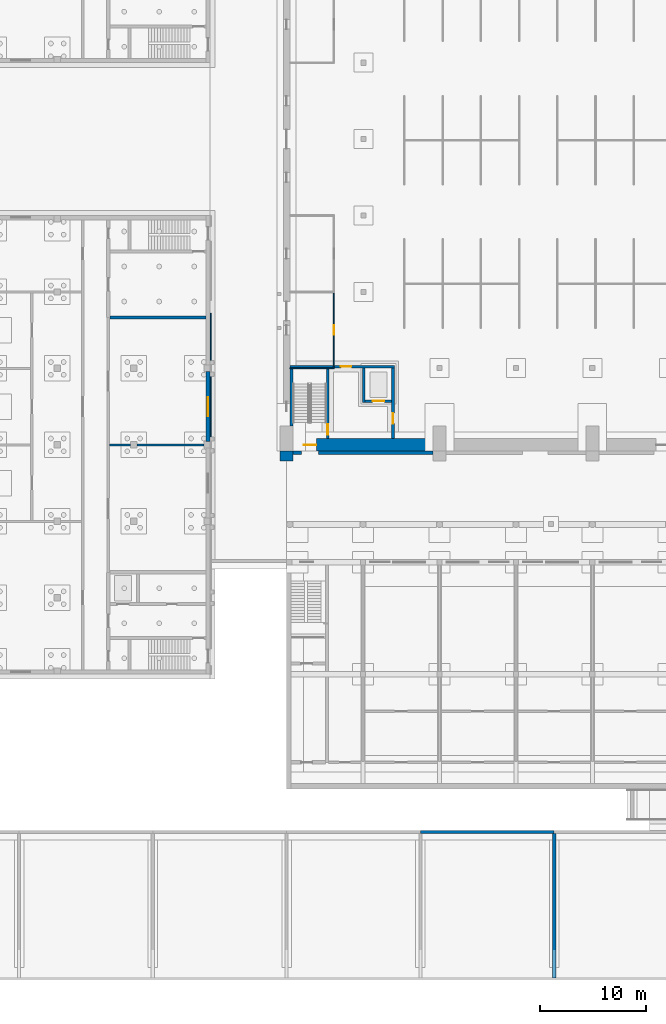
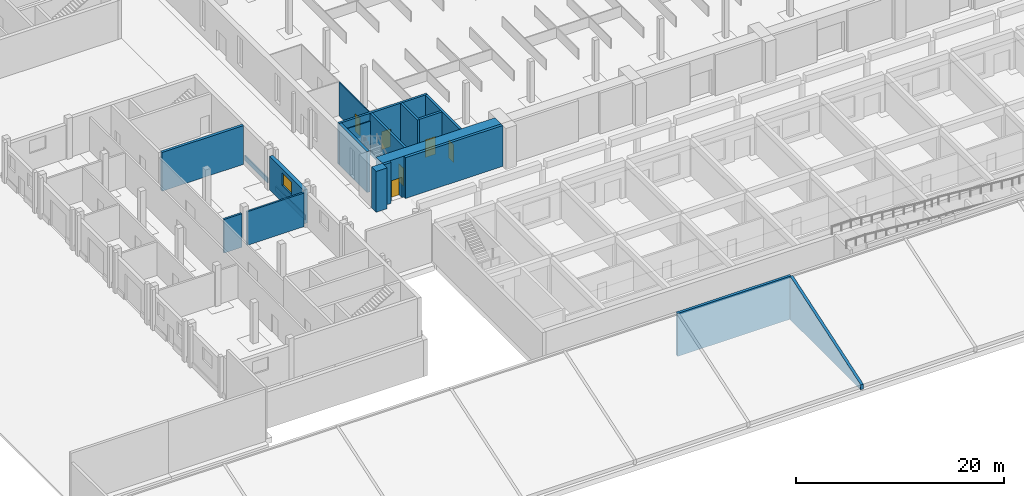
# One storey, part 30 of 73: 20 walls, 6 doors, 1 window, 7 openings.
"""IFC4 building model written with IfcOpenShell, lengths in metres."""

from ifc_helpers import new_model, si_unit, direction, frame, frame_2d, origin, place, context, subcontext, project, spatial, polyline, rectangle, outline, extrude, material, layer, layer_set, type_object, element, fill, save


model = new_model("IFC4")

# Units and contexts
model_context = context("Model", 3, precision=1e-05, world=origin(), true_north=direction((0.0, 1.0)))
body_context = subcontext(model_context, "Body", "Model", "MODEL_VIEW")
ifc_project = project(units=[si_unit("LENGTHUNIT", "METRE"), si_unit("AREAUNIT", "SQUARE_METRE"), si_unit("VOLUMEUNIT", "CUBIC_METRE"), si_unit("PLANEANGLEUNIT", "RADIAN"), si_unit("MASSUNIT", "GRAM", prefix="KILO")], contexts=[model_context])

# Site, building, storey
site_placement = place(None, origin())
site = spatial("IfcSite", under=ifc_project, at=site_placement, CompositionType="ELEMENT")
building_placement = place(site_placement, origin())
building = spatial("IfcBuilding", under=site, at=building_placement, Name="Alderwick Market Hall", CompositionType="ELEMENT")
storey_placement = place(building_placement, origin())
storey = spatial("IfcBuildingStorey", under=building, at=storey_placement, Name="LG", CompositionType="ELEMENT", Elevation=0.0)

# Walls
ifc_material_1 = material(Name="Cast stone 5000 psi", Category="masonry")
ifc_layer_1 = layer(ifc_material_1, 0.1201171875)
ifc_layer_set_1 = layer_set([ifc_layer_1], Name="Cast stone 5000 psi")
wall_type_1 = type_object("IfcWallType", Name="B Cast Stone Base Course 120", PredefinedType="SOLIDWALL", material=ifc_layer_set_1)
wall_1_placement = place(storey_placement, frame((43.260009765625, 51.14990234375, 0.0), z_axis=(0.0, 0.0, 1.0), x_axis=(0.0, 1.0, 0.0)))
element("IfcWall", 1, at=wall_1_placement, inside=storey, type_object=wall_type_1, Name="B.S.base.E.07", PredefinedType="SOLIDWALL", context=body_context, shape_type="SweptSolid", body=[
    extrude(rectangle(XDim=5.7001953125, YDim=0.1201171875, at=frame_2d((2.85009765625, 0.0))), origin(), (0.0, 0.0, 1.0), 0.60009765625),
])
wall_2_placement = place(storey_placement, frame((43.260009765625, 58.35009765625, 0.0), z_axis=(0.0, 0.0, 1.0), x_axis=(0.0, 1.0, 0.0)))
element("IfcWall", 2, at=wall_2_placement, inside=storey, type_object=wall_type_1, Name="B.S.base.E.09", PredefinedType="SOLIDWALL", context=body_context, shape_type="SweptSolid", body=[
    extrude(rectangle(XDim=4.449951171875, YDim=0.1201171875, at=frame_2d((2.22509765625, 0.0))), origin(), (0.0, 0.0, 1.0), 0.60009765625),
])

# Wall, opening, window
ifc_layer_2 = layer(ifc_material_1, 0.39990234375)
ifc_layer_set_2 = layer_set([ifc_layer_2], Name="Cast stone 5000 psi")
wall_type_2 = type_object("IfcWallType", Name="B Cast Stone Base Wall 400", PredefinedType="SOLIDWALL", material=ifc_layer_set_2)
wall_3_placement = place(storey_placement, frame((43.0, 50.699951171875, 0.0), z_axis=(0.0, 0.0, 1.0), x_axis=(0.0, 1.0, 0.0)))
wall_3 = element("IfcWall", 3, at=wall_3_placement, inside=storey, type_object=wall_type_2, Name="B.S.wall.LG.033", PredefinedType="SOLIDWALL", context=body_context, shape_type="SweptSolid", body=[
    extrude(rectangle(XDim=6.60009765625, YDim=0.39990234375, at=frame_2d((3.300048828125, 0.0))), origin(), (0.0, 0.0, 1.0), 3.949951171875),
])
opening_1_placement = place(wall_3_placement, frame((2.39990234375, 0.0, 2.0)))
opening_1 = element("IfcOpeningElement", 4, at=opening_1_placement, cuts=wall_3, Name="Opening B-W073", PredefinedType="OPENING", context=body_context, shape_type="SweptSolid", body=[
    extrude(rectangle(XDim=1.800048828125, YDim=1.5, at=frame_2d((0.89990234375, 0.75))), frame((0.0, 0.2099609375, 0.0), z_axis=(0.0, -1.0, 0.0), x_axis=(1.0, 0.0, 0.0)), (0.0, 0.0, 1.0), 0.419921875),
])
ifc_material_2 = material(Name="Aluminium frame", Category="aluminium")
window_type = type_object("IfcWindowType", Name="B Window 1800x1500", PartitioningType="SINGLE_PANEL", PredefinedType="WINDOW", material=ifc_material_2)
window_placement = place(opening_1_placement, origin())
window = element("IfcWindow", 5, at=window_placement, inside=storey, type_object=window_type, Name="Window B-W073", OverallHeight=1.5, OverallWidth=1.800048828125, PartitioningType="SINGLE_PANEL", PredefinedType="WINDOW", context=body_context, shape_type="SweptSolid", body=[
    extrude(rectangle(XDim=1.800048828125, YDim=1.5, at=frame_2d((0.89990234375, 0.75))), frame((0.0, 0.030029296875, 0.0), z_axis=(0.0, -1.0, 0.0), x_axis=(1.0, 0.0, 0.0)), (0.0, 0.0, 1.0), 0.06005859375),
])
fill(opening_1, window)

# Walls
ifc_material_3 = material(Name="Insulated metal panel, ASTM A653 Grade 50 steel faced", Category="steel")
ifc_layer_3 = layer(ifc_material_3, 0.199951171875)
ifc_layer_set_3 = layer_set([ifc_layer_3], Name="Insulated metal panel, ASTM A653 Grade 50 steel faced")
wall_type_3 = type_object("IfcWallType", Name="B Insulated Cold Store Wall 200", PredefinedType="PARTITIONING", material=ifc_layer_set_3)
wall_4_placement = place(storey_placement, frame((33.699951171875, 50.39990234375, 0.0), z_axis=(0.0, 0.0, 1.0), x_axis=(1.0, 0.0, 0.0)))
element("IfcWall", 6, at=wall_4_placement, inside=storey, type_object=wall_type_3, Name="B.S.wall.LG.008", PredefinedType="PARTITIONING", context=body_context, shape_type="SweptSolid", body=[
    extrude(rectangle(XDim=2.0, YDim=0.199951171875, at=frame_2d((1.0, 0.0))), origin(), (0.0, 0.0, 1.0), 3.949951171875),
])
wall_5_placement = place(storey_placement, frame((36.300048828125, 50.39990234375, 0.0), z_axis=(0.0, 0.0, 1.0), x_axis=(1.0, 0.0, 0.0)))
element("IfcWall", 7, at=wall_5_placement, inside=storey, type_object=wall_type_3, Name="B.S.wall.LG.009", PredefinedType="PARTITIONING", context=body_context, shape_type="SweptSolid", body=[
    extrude(rectangle(XDim=6.300048828125, YDim=0.199951171875, at=frame_2d((3.14990234375, 0.0))), origin(), (0.0, 0.0, 1.0), 3.949951171875),
])
ifc_material_4 = material(Name="Concrete 5000 psi (f'c 35 MPa)", Category="concrete")
ifc_layer_4 = layer(ifc_material_4, 0.300048828125)
ifc_layer_set_4 = layer_set([ifc_layer_4], Name="Concrete 5000 psi (f'c 35 MPa)")
wall_type_4 = type_object("IfcWallType", Name="B RC Core Wall 300", PredefinedType="SHEAR", material=ifc_layer_set_4)
wall_6_placement = place(storey_placement, frame((33.75, 62.39990234375, 0.0), z_axis=(0.0, 0.0, 1.0), x_axis=(1.0, 0.0, 0.0)))
element("IfcWall", 8, at=wall_6_placement, inside=storey, type_object=wall_type_4, Name="B.S.wall.LG.011", PredefinedType="SHEAR", context=body_context, shape_type="SweptSolid", body=[
    extrude(rectangle(XDim=9.050048828125, YDim=0.300048828125, at=frame_2d((4.52490234375, 0.0))), origin(), (0.0, 0.0, 1.0), 4.550048828125),
])
ifc_material_5 = material(Name="Cast stone 5000 psi (f'c 35 MPa), ASTM C1364", Category="masonry")
ifc_layer_5 = layer(ifc_material_5, 0.300048828125)
ifc_layer_set_5 = layer_set([ifc_layer_5], Name="Cast stone 5000 psi (f'c 35 MPa), ASTM C1364")
wall_type_5 = type_object("IfcWallType", Name="H Base course 300", PredefinedType="SOLIDWALL", material=ifc_layer_set_5)
wall_7_placement = place(storey_placement, frame((51.0, 49.64990234375, 0.0), z_axis=(0.0, 0.0, 1.0), x_axis=(1.0, 0.0, 0.0)))
element("IfcWall", 9, at=wall_7_placement, inside=storey, type_object=wall_type_5, Name="Base course S1 plinth", PredefinedType="SOLIDWALL", context=body_context, shape_type="SweptSolid", body=[
    extrude(rectangle(XDim=0.800048828125, YDim=0.300048828125, at=frame_2d((0.39990234375, 0.0))), origin(), (0.0, 0.0, 1.0), 4.800048828125),
])
wall_8_placement = place(storey_placement, frame((53.39990234375, 49.64990234375, 0.0), z_axis=(0.0, 0.0, 1.0), x_axis=(1.0, 0.0, 0.0)))
element("IfcWall", 10, at=wall_8_placement, inside=storey, type_object=wall_type_5, Name="Base course S1 plinth", PredefinedType="SOLIDWALL", context=body_context, shape_type="SweptSolid", body=[
    extrude(rectangle(XDim=10.800048828125, YDim=0.300048828125, at=frame_2d((5.39990234375, 0.0))), origin(), (0.0, 0.0, 1.0), 4.800048828125),
])
ifc_material_6 = material(Name="Face brick masonry, ASTM C216 grade SW (f'm 17 MPa)", Category="masonry")
ifc_layer_6 = layer(ifc_material_6, 0.89990234375)
ifc_layer_set_6 = layer_set([ifc_layer_6], Name="Face brick masonry, ASTM C216 grade SW (f'm 17 MPa)")
wall_type_6 = type_object("IfcWallType", Name="H Buttress pier 900", PredefinedType="SOLIDWALL", material=ifc_layer_set_6)
wall_9_placement = place(storey_placement, frame((49.800048828125, 49.35009765625, 0.0), z_axis=(0.0, 0.0, 1.0), x_axis=(1.0, 0.0, 0.0)))
element("IfcWall", 11, at=wall_9_placement, inside=storey, type_object=wall_type_6, Name="Buttress pier S1", PredefinedType="SOLIDWALL", context=body_context, shape_type="SweptSolid", body=[
    extrude(rectangle(XDim=1.199951171875, YDim=0.89990234375, at=frame_2d((0.60009765625, 0.0))), origin(), (0.0, 0.0, 1.0), 4.800048828125),
])

# Wall, opening, door
ifc_layer_7 = layer(ifc_material_4, 0.25)
ifc_layer_set_7 = layer_set([ifc_layer_7], Name="Concrete 5000 psi (f'c 35 MPa)")
wall_type_7 = type_object("IfcWallType", Name="H Core wall 250", PredefinedType="SOLIDWALL", material=ifc_layer_set_7)
wall_10_placement = place(storey_placement, frame((50.699951171875, 57.764892578125, 0.0), z_axis=(0.0, 0.0, 1.0), x_axis=(1.0, 0.0, 0.0)))
wall_10 = element("IfcWall", 12, at=wall_10_placement, inside=storey, type_object=wall_type_7, Name="Core wall H-SW", PredefinedType="SOLIDWALL", context=body_context, shape_type="SweptSolid", body=[
    extrude(rectangle(XDim=9.85009765625, YDim=0.25, at=frame_2d((4.925048828125, 0.0))), origin(), (0.0, 0.0, 1.0), 4.800048828125),
])
opening_2_placement = place(wall_10_placement, frame((4.800048828125, 0.0, 0.0)))
opening_2 = element("IfcOpeningElement", 13, at=opening_2_placement, cuts=wall_10, Name="Opening H-D018", PredefinedType="OPENING", context=body_context, shape_type="SweptSolid", body=[
    extrude(rectangle(XDim=1.0, YDim=2.10009765625, at=frame_2d((0.5, 1.050048828125))), frame((0.0, 0.135009765625, 0.0), z_axis=(0.0, -1.0, 0.0), x_axis=(1.0, 0.0, 0.0)), (0.0, 0.0, 1.0), 0.27001953125),
])
ifc_material_7 = material(Name="Steel, fire-rated", Category="steel")
door_type_1 = type_object("IfcDoorType", Name="H Stair door FD90 1000x2100", OperationType="SINGLE_SWING_LEFT", PredefinedType="DOOR", material=ifc_material_7)
door_1_placement = place(opening_2_placement, origin())
door_1 = element("IfcDoor", 14, at=door_1_placement, inside=storey, type_object=door_type_1, Name="Door H-D018", OperationType="SINGLE_SWING_LEFT", OverallHeight=2.10009765625, OverallWidth=1.0, PredefinedType="DOOR", context=body_context, shape_type="SweptSolid", body=[
    extrude(rectangle(XDim=1.0, YDim=2.10009765625, at=frame_2d((0.5, 1.050048828125))), frame((0.0, 0.02490234375, 0.0), z_axis=(0.0, -1.0, 0.0), x_axis=(1.0, 0.0, 0.0)), (0.0, 0.0, 1.0), 0.050048828125),
])
fill(opening_2, door_1)

wall_11_placement = place(storey_placement, frame((60.425048828125, 51.0, 0.0), z_axis=(0.0, 0.0, 1.0), x_axis=(0.0, 1.0, 0.0)))
wall_11 = element("IfcWall", 15, at=wall_11_placement, inside=storey, type_object=wall_type_7, Name="Core wall H-SW", PredefinedType="SOLIDWALL", context=body_context, shape_type="SweptSolid", body=[
    extrude(rectangle(XDim=6.639892578125, YDim=0.25, at=frame_2d((3.31982421875, 0.0))), origin(), (0.0, 0.0, 1.0), 4.800048828125),
])
opening_3_placement = place(wall_11_placement, frame((1.39990234375, 0.0, 0.0)))
opening_3 = element("IfcOpeningElement", 16, at=opening_3_placement, cuts=wall_11, Name="Opening H-D017", PredefinedType="OPENING", context=body_context, shape_type="SweptSolid", body=[
    extrude(rectangle(XDim=1.0, YDim=2.10009765625, at=frame_2d((0.5, 1.050048828125))), frame((0.0, 0.135009765625, 0.0), z_axis=(0.0, -1.0, 0.0), x_axis=(1.0, 0.0, 0.0)), (0.0, 0.0, 1.0), 0.27001953125),
])
door_2_placement = place(opening_3_placement, origin())
door_2 = element("IfcDoor", 17, at=door_2_placement, inside=storey, type_object=door_type_1, Name="Door H-D017", OperationType="SINGLE_SWING_LEFT", OverallHeight=2.10009765625, OverallWidth=1.0, PredefinedType="DOOR", context=body_context, shape_type="SweptSolid", body=[
    extrude(rectangle(XDim=1.0, YDim=2.10009765625, at=frame_2d((0.5, 1.050048828125))), frame((0.0, 0.02490234375, 0.0), z_axis=(0.0, -1.0, 0.0), x_axis=(1.0, 0.0, 0.0)), (0.0, 0.0, 1.0), 0.050048828125),
])
fill(opening_3, door_2)

wall_12_placement = place(storey_placement, frame((54.27490234375, 51.0, 0.0), z_axis=(0.0, 0.0, 1.0), x_axis=(0.0, 1.0, 0.0)))
wall_12 = element("IfcWall", 18, at=wall_12_placement, inside=storey, type_object=wall_type_7, Name="Core wall H-SW", PredefinedType="SOLIDWALL", context=body_context, shape_type="SweptSolid", body=[
    extrude(rectangle(XDim=6.639892578125, YDim=0.25, at=frame_2d((3.31982421875, 0.0))), origin(), (0.0, 0.0, 1.0), 4.800048828125),
])
opening_4_placement = place(wall_12_placement, frame((0.35009765625, 0.0, 0.0)))
opening_4 = element("IfcOpeningElement", 19, at=opening_4_placement, cuts=wall_12, Name="Opening H-D016", PredefinedType="OPENING", context=body_context, shape_type="SweptSolid", body=[
    extrude(rectangle(XDim=1.0, YDim=2.10009765625, at=frame_2d((0.5, 1.050048828125))), frame((0.0, 0.135009765625, 0.0), z_axis=(0.0, -1.0, 0.0), x_axis=(1.0, 0.0, 0.0)), (0.0, 0.0, 1.0), 0.27001953125),
])
door_3_placement = place(opening_4_placement, origin())
door_3 = element("IfcDoor", 20, at=door_3_placement, inside=storey, type_object=door_type_1, Name="Door H-D016", OperationType="SINGLE_SWING_LEFT", OverallHeight=2.10009765625, OverallWidth=1.0, PredefinedType="DOOR", context=body_context, shape_type="SweptSolid", body=[
    extrude(rectangle(XDim=1.0, YDim=2.10009765625, at=frame_2d((0.5, 1.050048828125))), frame((0.0, 0.02490234375, 0.0), z_axis=(0.0, -1.0, 0.0), x_axis=(1.0, 0.0, 0.0)), (0.0, 0.0, 1.0), 0.050048828125),
])
fill(opening_4, door_3)

# Wall
wall_13_placement = place(storey_placement, frame((57.675048828125, 54.389892578125, 0.0), z_axis=(0.0, 0.0, 1.0), x_axis=(0.0, 1.0, 0.0)))
element("IfcWall", 21, at=wall_13_placement, inside=storey, type_object=wall_type_7, Name="Core wall H-SW", PredefinedType="SOLIDWALL", context=body_context, shape_type="SweptSolid", body=[
    extrude(rectangle(XDim=3.25, YDim=0.25, at=frame_2d((1.625, 0.0))), origin(), (0.0, 0.0, 1.0), 4.800048828125),
])

# Wall, opening, door
wall_14_placement = place(storey_placement, frame((57.800048828125, 54.514892578125, 0.0), z_axis=(0.0, 0.0, 1.0), x_axis=(1.0, 0.0, 0.0)))
wall_14 = element("IfcWall", 22, at=wall_14_placement, inside=storey, type_object=wall_type_7, Name="Core wall H-SW", PredefinedType="SOLIDWALL", context=body_context, shape_type="SweptSolid", body=[
    extrude(rectangle(XDim=2.5, YDim=0.25, at=frame_2d((1.25, 0.0))), origin(), (0.0, 0.0, 1.0), 4.800048828125),
])
opening_5_placement = place(wall_14_placement, frame((0.699951171875, 0.0, 0.0)))
opening_5 = element("IfcOpeningElement", 23, at=opening_5_placement, cuts=wall_14, Name="Opening H-LD01", PredefinedType="OPENING", context=body_context, shape_type="SweptSolid", body=[
    extrude(rectangle(XDim=1.10009765625, YDim=2.10009765625, at=frame_2d((0.550048828125, 1.050048828125))), frame((0.0, 0.135009765625, 0.0), z_axis=(0.0, -1.0, 0.0), x_axis=(1.0, 0.0, 0.0)), (0.0, 0.0, 1.0), 0.27001953125),
])
ifc_material_8 = material(Name="Stainless steel", Category="steel")
door_type_2 = type_object("IfcDoorType", Name="H Lift landing door 1100x2100", OperationType="SLIDING_TO_LEFT", PredefinedType="DOOR", material=ifc_material_8)
door_4_placement = place(opening_5_placement, origin())
door_4 = element("IfcDoor", 24, at=door_4_placement, inside=storey, type_object=door_type_2, Name="Landing door H-LD01", OperationType="SLIDING_TO_LEFT", OverallHeight=2.10009765625, OverallWidth=1.10009765625, PredefinedType="DOOR", context=body_context, shape_type="SweptSolid", body=[
    extrude(rectangle(XDim=1.10009765625, YDim=2.10009765625, at=frame_2d((0.550048828125, 1.050048828125))), frame((0.0, 0.02490234375, 0.0), z_axis=(0.0, -1.0, 0.0), x_axis=(1.0, 0.0, 0.0)), (0.0, 0.0, 1.0), 0.050048828125),
])
fill(opening_5, door_4)

ifc_layer_8 = layer(ifc_material_4, 1.199951171875)
ifc_layer_set_8 = layer_set([ifc_layer_8], Name="Concrete 5000 psi (f'c 35 MPa)")
wall_type_8 = type_object("IfcWallType", Name="H Long wall 1200", PredefinedType="SOLIDWALL", material=ifc_layer_set_8)
wall_15_placement = place(storey_placement, frame((51.0, 50.39990234375, 0.0), z_axis=(0.0, 0.0, 1.0), x_axis=(1.0, 0.0, 0.0)))
wall_15 = element("IfcWall", 25, at=wall_15_placement, inside=storey, type_object=wall_type_8, Name="Long wall S LG 1", PredefinedType="SOLIDWALL", context=body_context, shape_type="SweptSolid", body=[
    extrude(rectangle(XDim=13.199951171875, YDim=1.199951171875, at=frame_2d((6.60009765625, 0.0))), origin(), (0.0, 0.0, 1.0), 4.800048828125),
])
opening_6_placement = place(wall_15_placement, frame((2.199951171875, 0.0, 0.0), z_axis=(0.0, 0.0, 1.0), x_axis=(-1.0, 0.0, 0.0)))
opening_6 = element("IfcOpeningElement", 26, at=opening_6_placement, cuts=wall_15, Name="Opening H-D001", PredefinedType="OPENING", context=body_context, shape_type="SweptSolid", body=[
    extrude(rectangle(XDim=1.199951171875, YDim=2.39990234375, at=frame_2d((0.60009765625, 1.199951171875))), frame((0.0, 0.60986328125, 0.0), z_axis=(0.0, -1.0, 0.0), x_axis=(1.0, 0.0, 0.0)), (0.0, 0.0, 1.0), 1.219970703125),
])
door_type_3 = type_object("IfcDoorType", Name="H Exit door FD60 1200x2400", OperationType="SINGLE_SWING_LEFT", PredefinedType="DOOR", material=ifc_material_7)
door_5_placement = place(opening_6_placement, origin())
door_5 = element("IfcDoor", 27, at=door_5_placement, inside=storey, type_object=door_type_3, Name="Door H-D001", OperationType="SINGLE_SWING_LEFT", OverallHeight=2.39990234375, OverallWidth=1.199951171875, PredefinedType="DOOR", context=body_context, shape_type="SweptSolid", body=[
    extrude(rectangle(XDim=1.199951171875, YDim=2.39990234375, at=frame_2d((0.60009765625, 1.199951171875))), frame((0.0, 0.02490234375, 0.0), z_axis=(0.0, -1.0, 0.0), x_axis=(1.0, 0.0, 0.0)), (0.0, 0.0, 1.0), 0.050048828125),
])
fill(opening_6, door_5)

# Wall
ifc_material_9 = material(Name="Gypsum board partition")
ifc_layer_9 = layer(ifc_material_9, 0.10009765625)
ifc_layer_set_9 = layer_set([ifc_layer_9], Name="Gypsum board partition")
wall_type_9 = type_object("IfcWallType", Name="H Partition 100", PredefinedType="PARTITIONING", material=ifc_layer_set_9)
wall_16_placement = place(storey_placement, frame((50.699951171875, 57.60009765625, 0.0), z_axis=(0.0, 0.0, 1.0), x_axis=(1.0, 0.0, 0.0)))
element("IfcWall", 28, at=wall_16_placement, inside=storey, type_object=wall_type_9, Name="Partition", PredefinedType="PARTITIONING", context=body_context, shape_type="SweptSolid", body=[
    extrude(rectangle(XDim=4.199951171875, YDim=0.10009765625, at=frame_2d((2.10009765625, 0.0))), origin(), (0.0, 0.0, 1.0), 3.949951171875),
])

# Wall, opening, door
wall_17_placement = place(storey_placement, frame((54.85009765625, 57.64990234375, 0.0), z_axis=(0.0, 0.0, 1.0), x_axis=(0.0, 1.0, 0.0)))
wall_17 = element("IfcWall", 29, at=wall_17_placement, inside=storey, type_object=wall_type_9, Name="Partition", PredefinedType="PARTITIONING", context=body_context, shape_type="SweptSolid", body=[
    extrude(rectangle(XDim=7.10009765625, YDim=0.10009765625, at=frame_2d((3.550048828125, 0.0))), origin(), (0.0, 0.0, 1.0), 3.949951171875),
])
opening_7_placement = place(wall_17_placement, frame((3.10009765625, 0.0, 0.0)))
opening_7 = element("IfcOpeningElement", 30, at=opening_7_placement, cuts=wall_17, Name="Opening H-D057", PredefinedType="OPENING", context=body_context, shape_type="SweptSolid", body=[
    extrude(rectangle(XDim=0.89990234375, YDim=2.10009765625, at=frame_2d((0.449951171875, 1.050048828125))), frame((0.0, 0.06005859375, 0.0), z_axis=(0.0, -1.0, 0.0), x_axis=(1.0, 0.0, 0.0)), (0.0, 0.0, 1.0), 0.1201171875),
])
ifc_material_10 = material(Name="Timber, solid core", Category="wood")
door_type_4 = type_object("IfcDoorType", Name="H WC door 900x2100", OperationType="SINGLE_SWING_LEFT", PredefinedType="DOOR", material=ifc_material_10)
door_6_placement = place(opening_7_placement, origin())
door_6 = element("IfcDoor", 31, at=door_6_placement, inside=storey, type_object=door_type_4, Name="Door H-D057", OperationType="SINGLE_SWING_LEFT", OverallHeight=2.10009765625, OverallWidth=0.89990234375, PredefinedType="DOOR", context=body_context, shape_type="SweptSolid", body=[
    extrude(rectangle(XDim=0.89990234375, YDim=2.10009765625, at=frame_2d((0.449951171875, 1.050048828125))), frame((0.0, 0.02490234375, 0.0), z_axis=(0.0, -1.0, 0.0), x_axis=(1.0, 0.0, 0.0)), (0.0, 0.0, 1.0), 0.050048828125),
])
fill(opening_7, door_6)

# Walls
ifc_layer_10 = layer(ifc_material_4, 0.300048828125)
ifc_layer_set_10 = layer_set([ifc_layer_10], Name="Concrete 5000 psi (f'c 35 MPa)")
wall_type_10 = type_object("IfcWallType", Name="H Stair furring wall 300", PredefinedType="SOLIDWALL", material=ifc_layer_set_10)
wall_18_placement = place(storey_placement, frame((50.85009765625, 52.199951171875, 0.0), z_axis=(0.0, 0.0, 1.0), x_axis=(0.0, 1.0, 0.0)))
element("IfcWall", 32, at=wall_18_placement, inside=storey, type_object=wall_type_10, Name="Core wall H-SW", PredefinedType="SOLIDWALL", context=body_context, shape_type="SweptSolid", body=[
    extrude(rectangle(XDim=5.43994140625, YDim=0.300048828125, at=frame_2d((2.719970703125, 0.0))), origin(), (0.0, 0.0, 1.0), 4.800048828125),
])
ifc_layer_11 = layer(ifc_material_4, 0.300048828125)
ifc_layer_set_11 = layer_set([ifc_layer_11], Name="Concrete 5000 psi (f'c 35 MPa)")
wall_type_11 = type_object("IfcWallType", Name="S Retaining Wall 300", PredefinedType="SOLIDWALL", material=ifc_layer_set_11)
wall_19_placement = place(storey_placement, frame((63.0, 13.949951171875, -0.25), z_axis=(0.0, 0.0, 1.0), x_axis=(1.0, 0.0, 0.0)))
element("IfcWall", 33, at=wall_19_placement, inside=storey, type_object=wall_type_11, Name="Berm crest wall S06", PredefinedType="SOLIDWALL", context=body_context, shape_type="SweptSolid", body=[
    extrude(rectangle(XDim=12.60009765625, YDim=0.300048828125, at=frame_2d((6.300048828125, 0.0))), origin(), (0.0, 0.0, 1.0), 5.050048828125),
])
wall_20_placement = place(storey_placement, frame((75.60009765625, 13.800048828125, -0.25), z_axis=(0.0, 0.0, 1.0), x_axis=(0.0, -1.0, 0.0)))
element("IfcWall", 34, at=wall_20_placement, inside=storey, type_object=wall_type_11, Name="Berm cross wall S07", PredefinedType="SOLIDWALL", context=body_context, shape_type="SweptSolid", body=[
    extrude(outline(polyline([(0.0, 0.0), (13.632080078125, 0.0), (13.632080078125, 0.569091796875), (0.189697265625, 5.050048828125), (0.0, 5.050048828125), (0.0, 0.0)])), frame((0.0, 0.14990234375, 0.0), z_axis=(0.0, -1.0, 0.0), x_axis=(1.0, 0.0, 0.0)), (0.0, 0.0, 1.0), 0.300048828125),
])

save(model, "model.ifc")
